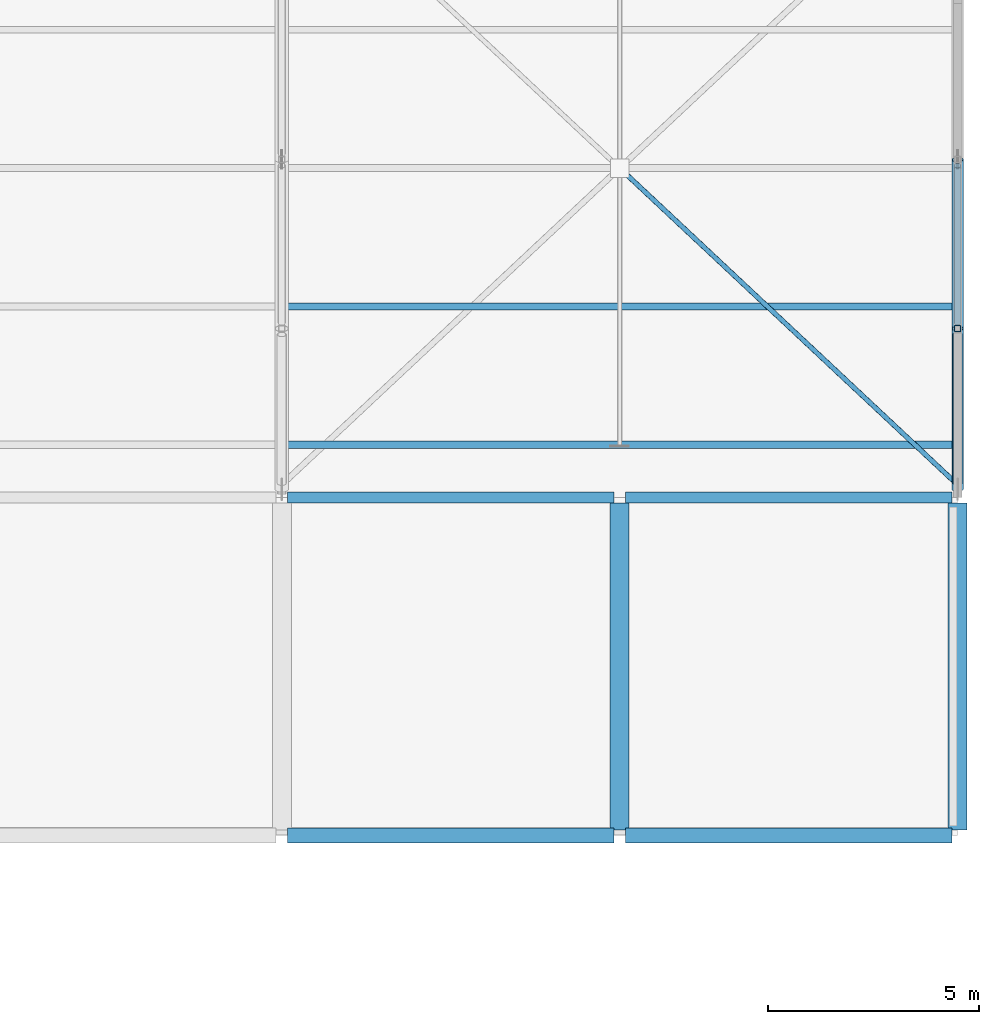
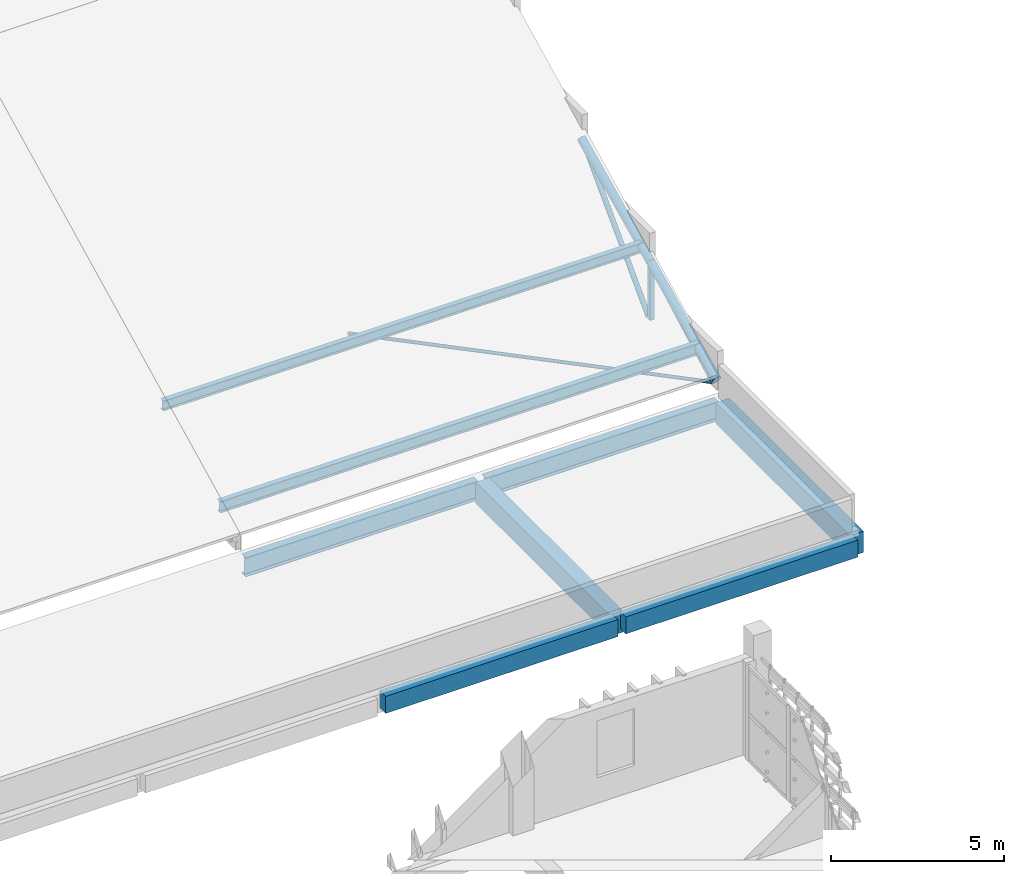
# One storey, part 73 of 137: 8 beams, 6 members.
"""IFC4 building model written with IfcOpenShell, lengths in metres."""

from ifc_helpers import new_model, si_unit, direction, frame, origin, origin_2d, place, context, subcontext, project, spatial, rectangle, hollow_rectangle, hollow_circle, i_section, extrude, material, material_profile, profile_set, type_object, element, save


model = new_model("IFC4")

# Units and contexts
model_context = context("Model", 3, precision=1e-05, world=origin(), true_north=direction((0.0, 1.0)))
body_context = subcontext(model_context, "Body", "Model", "MODEL_VIEW")
ifc_project = project(units=[si_unit("LENGTHUNIT", "METRE"), si_unit("AREAUNIT", "SQUARE_METRE"), si_unit("VOLUMEUNIT", "CUBIC_METRE"), si_unit("PLANEANGLEUNIT", "RADIAN"), si_unit("MASSUNIT", "GRAM", prefix="KILO")], contexts=[model_context])

# Site, building, storey
site_placement = place(None, origin())
site = spatial("IfcSite", under=ifc_project, at=site_placement, CompositionType="ELEMENT")
building_placement = place(site_placement, origin())
building = spatial("IfcBuilding", under=site, at=building_placement, Name="Jelvoka-Kovrelna Polytechnic", CompositionType="ELEMENT")
storey_placement = place(building_placement, frame((0.0, 0.0, 9.60009765625)))
storey = spatial("IfcBuildingStorey", under=building, at=storey_placement, Name="L03", CompositionType="ELEMENT", Elevation=9.60009765625)

# Beams
ifc_material_1 = material(Name="Concrete C40/50", Category="concrete")
ifc_material_profile_1 = material_profile(ifc_material_1, rectangle(XDim=0.449951171875, YDim=0.75, at=origin_2d()), Name="RC 450x750")
ifc_profile_set_1 = profile_set([ifc_material_profile_1], Name="Concrete C40/50")
beam_type_1 = type_object("IfcBeamType", Name="Beam_RC_450x750", PredefinedType="BEAM", material=ifc_profile_set_1)
for number, where, z_axis, x_axis, name in (
    (1, (192.0, 80.1337890625, -0.585205078125), (0.0, 1.0, 0.0), (-1.0, 0.0, 0.0), "L03 beam 2099"),
    (2, (200.0, 80.1337890625, -0.585205078125), (0.0, 1.0, 0.0), (-1.0, 0.0, 0.0), "L03 beam 2100"),
):
    element("IfcBeam", number, at=place(storey_placement, frame(where, z_axis=z_axis, x_axis=x_axis)), inside=storey, type_object=beam_type_1, Name=name, PredefinedType="BEAM", context=body_context, shape_type="SweptSolid", body=[
        extrude(rectangle(XDim=0.449951171875, YDim=0.75, at=origin_2d()), origin(), (0.0, 0.0, 1.0), 7.732421875),
    ])
ifc_material_2 = material(Name="Structural steel S355JR", Category="steel")
ifc_material_profile_2 = material_profile(ifc_material_2, i_section(OverallWidth=0.2529296875, OverallDepth=0.677978515625, WebThickness=0.01171875, FlangeThickness=0.01611328125, FilletRadius=0.01513671875, at=origin_2d()), Name="686x254x125 UB")
ifc_profile_set_2 = profile_set([ifc_material_profile_2], Name="Structural steel S355JR")
beam_type_2 = type_object("IfcBeamType", Name="Girder_Steel_UB686", PredefinedType="BEAM", material=ifc_profile_set_2)
for number, where, z_axis, x_axis, name in (
    (3, (184.1328125, 88.0, -0.549072265625), (1.0, 0.0, 0.0), (0.0, 1.0, 0.0), "L03 beam 0113"),
    (4, (192.1328125, 88.0, -0.549072265625), (1.0, 0.0, 0.0), (0.0, 1.0, 0.0), "L03 beam 0115"),
):
    element("IfcBeam", number, at=place(storey_placement, frame(where, z_axis=z_axis, x_axis=x_axis)), inside=storey, type_object=beam_type_2, Name=name, PredefinedType="BEAM", context=body_context, shape_type="SweptSolid", body=[
        extrude(i_section(OverallWidth=0.2529296875, OverallDepth=0.677978515625, WebThickness=0.01171875, FlangeThickness=0.01611328125, FilletRadius=0.01513671875, at=origin_2d()), origin(), (0.0, 0.0, 1.0), 7.734375),
    ])

# Members
ifc_material_3 = material(Name="Structural steel S355J2H", Category="steel")
ifc_material_profile_3 = material_profile(ifc_material_3, hollow_circle(Radius=0.05712890625, WallThickness=0.00634765625, at=origin_2d()), Name="114.3x6.3 CHS")
ifc_profile_set_3 = profile_set([ifc_material_profile_3], Name="Structural steel S355J2H")
member_type_1 = type_object("IfcMemberType", Name="Member_Brace_CHS114", PredefinedType="BRACE", material=ifc_profile_set_3)
member_1_placement = place(storey_placement, frame((192.065673828125, 95.738525390625, 0.14990234375), z_axis=(0.729679522085, -0.683789291412, 0.0), x_axis=(0.683789291412, 0.729679522085, 0.0)))
element("IfcMember", 5, at=member_1_placement, inside=storey, type_object=member_type_1, Name="Sawtooth roof split X-brace half-diagonal 0227B", PredefinedType="BRACE", context=body_context, shape_type="SweptSolid", body=[
    extrude(hollow_circle(Radius=0.05712890625, WallThickness=0.00634765625, at=origin_2d()), origin(), (0.0, 0.0, 1.0), 10.80517578125),
])
ifc_material_4 = material(Name="Structural steel S355J2H", Category="steel")
ifc_material_profile_4 = material_profile(ifc_material_4, hollow_circle(Radius=0.084228515625, WallThickness=0.008056640625, at=origin_2d()), Name="168.3x8.0 CHS")
ifc_profile_set_4 = profile_set([ifc_material_profile_4], Name="Structural steel S355J2H")
member_type_2 = type_object("IfcMemberType", Name="Member_Brace_CHS168", PredefinedType="BRACE", material=ifc_profile_set_4)
member_2_placement = place(storey_placement, frame((200.0, 92.139892578125, 0.14990234375), z_axis=(0.0, 0.69521468222, 0.718802160282), x_axis=(-1.0, 0.0, 0.0)))
element("IfcMember", 6, at=member_2_placement, inside=storey, type_object=member_type_2, Name="Sawtooth truss 8 diagonal web 1.2", PredefinedType="BRACE", context=body_context, shape_type="SweptSolid", body=[
    extrude(hollow_circle(Radius=0.084228515625, WallThickness=0.008056640625, at=origin_2d()), origin(), (0.0, 0.0, 1.0), 5.35107421875),
])
ifc_material_5 = material(Name="Structural steel S355J2H", Category="steel")
ifc_material_profile_5 = material_profile(ifc_material_5, hollow_circle(Radius=0.109619140625, WallThickness=0.008056640625, at=origin_2d()), Name="219.1x8.0 CHS")
ifc_profile_set_5 = profile_set([ifc_material_profile_5], Name="Structural steel S355J2H")
member_type_3 = type_object("IfcMemberType", Name="Member_Brace_CHS219", PredefinedType="BRACE", material=ifc_profile_set_5)
member_3_placement = place(storey_placement, frame((200.0, 88.340087890625, 0.14990234375), z_axis=(0.0, 0.878084029324, 0.478506465418), x_axis=(-1.0, 0.0, 0.0)))
element("IfcMember", 7, at=member_3_placement, inside=storey, type_object=member_type_3, Name="Sawtooth truss 8 diagonal web 1.1", PredefinedType="BRACE", context=body_context, shape_type="SweptSolid", body=[
    extrude(hollow_circle(Radius=0.109619140625, WallThickness=0.008056640625, at=origin_2d()), origin(), (0.0, 0.0, 1.0), 4.0087890625),
])
ifc_material_6 = material(Name="Structural steel S355J2H", Category="steel")
ifc_material_profile_6 = material_profile(ifc_material_6, hollow_circle(Radius=0.136474609375, WallThickness=0.010009765625, at=origin_2d()), Name="273.0x10.0 CHS")
ifc_profile_set_6 = profile_set([ifc_material_profile_6], Name="Structural steel S355J2H")
member_type_4 = type_object("IfcMemberType", Name="Member_Chord_CHS273", PredefinedType="CHORD", material=ifc_profile_set_6)
member_4_placement = place(storey_placement, frame((200.0, 88.199951171875, 0.31640625), z_axis=(0.0, 0.900803851837, 0.434226231952), x_axis=(-1.0, 0.0, 0.0)))
element("IfcMember", 8, at=member_4_placement, inside=storey, type_object=member_type_4, Name="Sawtooth truss 8 top chord 1.1", PredefinedType="CHORD", context=body_context, shape_type="SweptSolid", body=[
    extrude(hollow_circle(Radius=0.136474609375, WallThickness=0.010009765625, at=origin_2d()), origin(), (0.0, 0.0, 1.0), 4.218505859375),
])
member_5_placement = place(storey_placement, frame((200.0, 92.0, 2.148193359375), z_axis=(0.0, 0.900799405566, 0.434235455637), x_axis=(-1.0, 0.0, 0.0)))
element("IfcMember", 9, at=member_5_placement, inside=storey, type_object=member_type_4, Name="Sawtooth truss 8 top chord 1.2", PredefinedType="CHORD", context=body_context, shape_type="SweptSolid", body=[
    extrude(hollow_circle(Radius=0.136474609375, WallThickness=0.010009765625, at=origin_2d()), origin(), (0.0, 0.0, 1.0), 4.4404296875),
])
ifc_material_7 = material(Name="Structural steel S355J2H", Category="steel")
ifc_material_profile_7 = material_profile(ifc_material_7, hollow_rectangle(XDim=0.14990234375, YDim=0.14990234375, WallThickness=0.008056640625, InnerFilletRadius=0.008056640625, OuterFilletRadius=0.011962890625, at=origin_2d()), Name="150x150x8.0 SHS")
ifc_profile_set_7 = profile_set([ifc_material_profile_7], Name="Structural steel S355J2H")
member_type_5 = type_object("IfcMemberType", Name="Member_Post_SHS150", PredefinedType="POST", material=ifc_profile_set_7)
member_6_placement = place(storey_placement, frame((200.0, 92.0, 0.14990234375), z_axis=(0.0, 0.0, 1.0), x_axis=(1.0, 0.0, 0.0)))
element("IfcMember", 10, at=member_6_placement, inside=storey, type_object=member_type_5, Name="Sawtooth truss 8 web post 1.2", PredefinedType="POST", context=body_context, shape_type="SweptSolid", body=[
    extrude(hollow_rectangle(XDim=0.14990234375, YDim=0.14990234375, WallThickness=0.008056640625, InnerFilletRadius=0.008056640625, OuterFilletRadius=0.011962890625, at=origin_2d()), origin(), (0.0, 0.0, 1.0), 1.998291015625),
])

# Beams
ifc_material_8 = material(Name="Structural steel S355JR", Category="steel")
ifc_material_profile_8 = material_profile(ifc_material_8, i_section(OverallWidth=0.17138671875, OverallDepth=0.35498046875, WebThickness=0.00732421875, FlangeThickness=0.011474609375, FilletRadius=0.01025390625, at=origin_2d()), Name="356x171x51 UB")
ifc_profile_set_8 = profile_set([ifc_material_profile_8], Name="Structural steel S355JR")
beam_type_3 = type_object("IfcBeamType", Name="Purlin_Steel_UB356", PredefinedType="JOIST", material=ifc_profile_set_8)
beam_1_placement = place(storey_placement, frame((184.02001953125, 92.52392578125, 2.400634765625), z_axis=(1.0, 0.0, 0.0), x_axis=(0.0, 1.0, 0.0)))
element("IfcBeam", 11, at=beam_1_placement, inside=storey, type_object=beam_type_3, Name="Sawtooth roof purlin 062", PredefinedType="JOIST", context=body_context, shape_type="SweptSolid", body=[
    extrude(i_section(OverallWidth=0.17138671875, OverallDepth=0.35498046875, WebThickness=0.00732421875, FlangeThickness=0.011474609375, FilletRadius=0.01025390625, at=origin_2d()), origin(), (0.0, 0.0, 1.0), 15.9599609375),
])
ifc_material_9 = material(Name="Structural steel S355JR", Category="steel")
ifc_material_profile_9 = material_profile(ifc_material_9, i_section(OverallWidth=0.177978515625, OverallDepth=0.406494140625, WebThickness=0.0078125, FlangeThickness=0.0126953125, FilletRadius=0.01025390625, at=origin_2d()), Name="406x178x60 UB")
ifc_profile_set_9 = profile_set([ifc_material_profile_9], Name="Structural steel S355JR")
beam_type_4 = type_object("IfcBeamType", Name="Purlin_Steel_UB406", PredefinedType="JOIST", material=ifc_profile_set_9)
beam_2_placement = place(storey_placement, frame((184.02001953125, 89.248046875, 0.821533203125), z_axis=(1.0, 0.0, 0.0), x_axis=(0.0, 1.0, 0.0)))
element("IfcBeam", 12, at=beam_2_placement, inside=storey, type_object=beam_type_4, Name="Sawtooth roof purlin 061", PredefinedType="JOIST", context=body_context, shape_type="SweptSolid", body=[
    extrude(i_section(OverallWidth=0.177978515625, OverallDepth=0.406494140625, WebThickness=0.0078125, FlangeThickness=0.0126953125, FilletRadius=0.01025390625, at=origin_2d()), origin(), (0.0, 0.0, 1.0), 15.9599609375),
])
ifc_material_10 = material(Name="Concrete C40/50", Category="concrete")
ifc_material_profile_10 = material_profile(ifc_material_10, rectangle(XDim=0.35009765625, YDim=0.60009765625, at=origin_2d()), Name="RC 350x600")
ifc_profile_set_10 = profile_set([ifc_material_profile_10], Name="Concrete C40/50")
beam_type_5 = type_object("IfcBeamType", Name="Spandrel_RC_350x600", PredefinedType="SPANDREL", material=ifc_profile_set_10)
for number, where, z_axis, x_axis, name in (
    (13, (184.1328125, 80.0, -0.510009765625), (1.0, 0.0, 0.0), (0.0, 1.0, 0.0), "L03 beam 2084"),
    (14, (192.1328125, 80.0, -0.510009765625), (1.0, 0.0, 0.0), (0.0, 1.0, 0.0), "L03 beam 2085"),
):
    element("IfcBeam", number, at=place(storey_placement, frame(where, z_axis=z_axis, x_axis=x_axis)), inside=storey, type_object=beam_type_5, Name=name, PredefinedType="SPANDREL", context=body_context, shape_type="SweptSolid", body=[
        extrude(rectangle(XDim=0.35009765625, YDim=0.60009765625, at=origin_2d()), origin(), (0.0, 0.0, 1.0), 7.734375),
    ])

save(model, "model.ifc")
